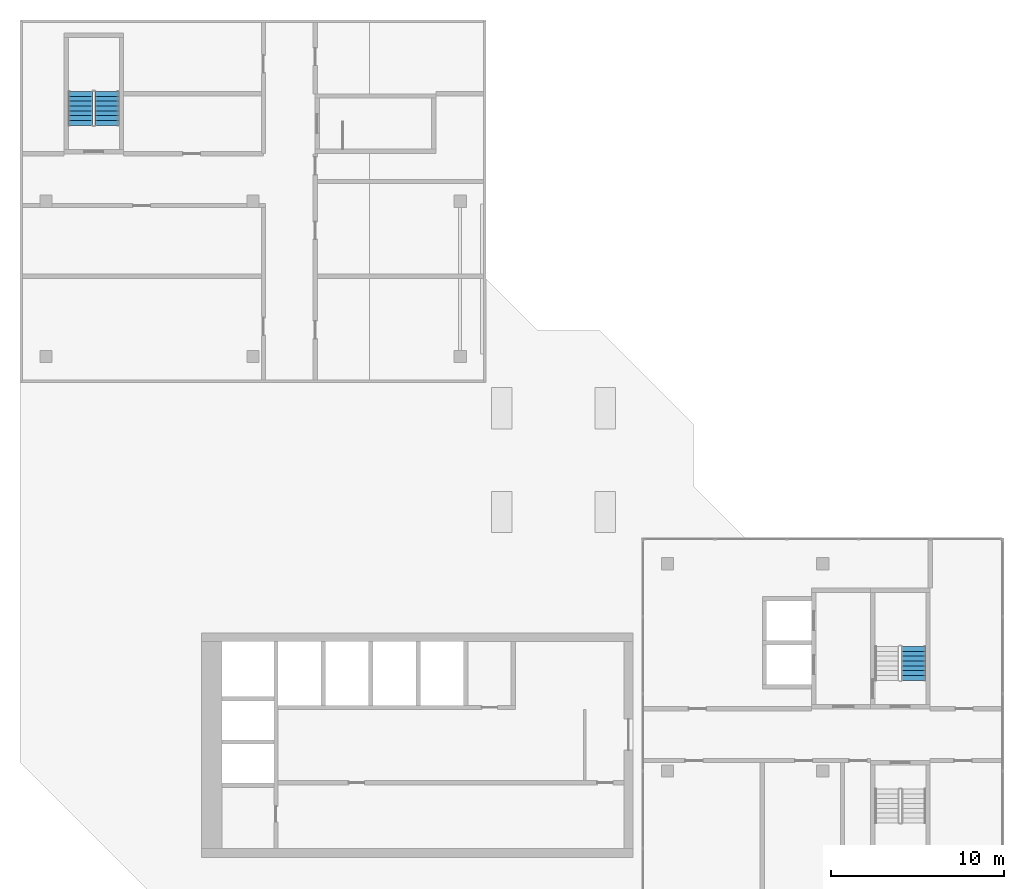
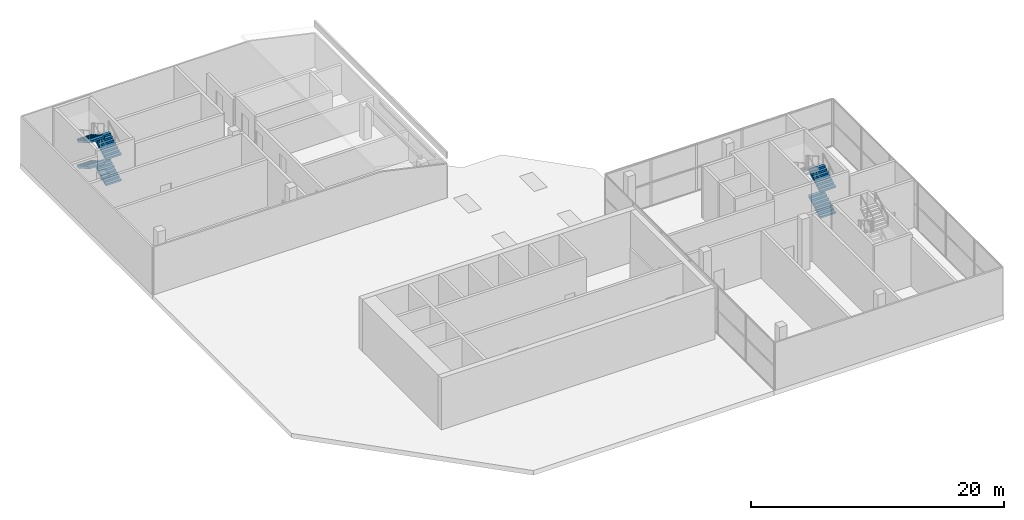
# One storey, part 7 of 8: 6 stair flights, 2 elements without a shape of their own.
"""IFC4 building model written with IfcOpenShell, lengths in metres."""

from ifc_helpers import new_model, si_unit, direction, frame, origin, place, context, subcontext, project, spatial, polyline, outline, extrude, material, type_object, element, aggregate, save


model = new_model("IFC4")

# Units and contexts
model_context = context("Model", 3, precision=1e-05, world=origin(), true_north=direction((0.0, 1.0)))
body_context = subcontext(model_context, "Body", "Model", "MODEL_VIEW")
ifc_project = project(units=[si_unit("LENGTHUNIT", "METRE"), si_unit("AREAUNIT", "SQUARE_METRE"), si_unit("VOLUMEUNIT", "CUBIC_METRE"), si_unit("PLANEANGLEUNIT", "RADIAN"), si_unit("MASSUNIT", "GRAM", prefix="KILO")], contexts=[model_context])

# Site, building, storey
site_placement = place(None, origin())
site = spatial("IfcSite", under=ifc_project, at=site_placement, CompositionType="ELEMENT")
building_placement = place(site_placement, origin())
building = spatial("IfcBuilding", under=site, at=building_placement, Name="Chenar Terraces", CompositionType="ELEMENT")
storey_placement = place(building_placement, frame((0.0, 0.0, 383.89990234375)))
storey = spatial("IfcBuildingStorey", under=building, at=storey_placement, Name="L90", CompositionType="ELEMENT", Elevation=383.89990234375)

# Stair, stair flights
ifc_material_1 = material(Name="Reinforced concrete C40/50", Category="concrete")
stair_type = type_object("IfcStairType", Name="Core stair 1400 half-turn", PredefinedType="HALF_TURN_STAIR", material=ifc_material_1)
placement = place(storey_placement, origin())
stair_1 = element("IfcStair", 1, at=placement, inside=storey, type_object=stair_type, Name="L90 Stair 3", PredefinedType="HALF_TURN_STAIR")
ifc_material_2 = material(Name="Reinforced concrete C40/50", Category="concrete")
stair_flight_type = type_object("IfcStairFlightType", Name="Core stair flight 1400", PredefinedType="STRAIGHT", material=ifc_material_2)
stair_flight_1_placement = place(storey_placement, frame((50.27490234375, 17.25, 0.0), z_axis=(0.0, 0.0, 1.0), x_axis=(0.0, 1.0, 0.0)))
stair_flight_1 = element("IfcStairFlight", 2, at=stair_flight_1_placement, type_object=stair_flight_type, Name="ST3 flight 1", NumberOfRisers=8, NumberOfTreads=7, PredefinedType="STRAIGHT", RiserHeight=0.15625, TreadLength=0.28, context=body_context, shape_type="SweptSolid", body=[
    extrude(outline(polyline([(-0.0029296875, 0.0), (-0.0029296875, 0.15625), (0.0, 0.15625), (0.280029296875, 0.15625), (0.280029296875, 0.3125), (0.56005859375, 0.3125), (0.56005859375, 0.46875), (0.840087890625, 0.46875), (0.840087890625, 0.625), (1.1201171875, 0.625), (1.1201171875, 0.78125), (1.39990234375, 0.78125), (1.39990234375, 0.9375), (1.679931640625, 0.9375), (1.679931640625, 1.09375), (1.9599609375, 1.09375), (1.962890625, 1.09375), (1.962890625, 0.922119140625), (1.9599609375, 0.922119140625), (0.3076171875, 0.0), (-0.0029296875, 0.0)])), frame((0.0, 0.699951171875, 0.0), z_axis=(0.0, -1.0, 0.0), x_axis=(1.0, 0.0, 0.0)), (0.0, 0.0, 1.0), 1.39990234375),
])
stair_flight_2_placement = place(storey_placement, frame((50.27490234375, 17.25, 2.5), z_axis=(0.0, 0.0, 1.0), x_axis=(0.0, 1.0, 0.0)))
stair_flight_2 = element("IfcStairFlight", 3, at=stair_flight_2_placement, type_object=stair_flight_type, Name="ST3 flight 3", NumberOfRisers=8, NumberOfTreads=7, PredefinedType="STRAIGHT", RiserHeight=0.15625, TreadLength=0.28, context=body_context, shape_type="SweptSolid", body=[
    extrude(outline(polyline([(-0.0029296875, 0.0), (-0.0029296875, 0.15625), (0.0, 0.15625), (0.280029296875, 0.15625), (0.280029296875, 0.3125), (0.56005859375, 0.3125), (0.56005859375, 0.46875), (0.840087890625, 0.46875), (0.840087890625, 0.625), (1.1201171875, 0.625), (1.1201171875, 0.78125), (1.39990234375, 0.78125), (1.39990234375, 0.9375), (1.679931640625, 0.9375), (1.679931640625, 1.09375), (1.9599609375, 1.09375), (1.962890625, 1.09375), (1.962890625, 0.922119140625), (1.9599609375, 0.922119140625), (0.3076171875, 0.0), (-0.0029296875, 0.0)])), frame((0.0, 0.699951171875, 0.0), z_axis=(0.0, -1.0, 0.0), x_axis=(1.0, 0.0, 0.0)), (0.0, 0.0, 1.0), 1.39990234375),
])
aggregate(stair_1, [stair_flight_1, stair_flight_2])

stair_2 = element("IfcStair", 4, at=placement, inside=storey, type_object=stair_type, Name="L90 Stair 6", PredefinedType="HALF_TURN_STAIR")
stair_flight_3_placement = place(storey_placement, frame((3.550048828125, 49.39990234375, 0.0), z_axis=(0.0, 0.0, 1.0), x_axis=(0.0, 1.0, 0.0)))
stair_flight_3 = element("IfcStairFlight", 5, at=stair_flight_3_placement, type_object=stair_flight_type, Name="ST6 flight 1", NumberOfRisers=8, NumberOfTreads=7, PredefinedType="STRAIGHT", RiserHeight=0.15625, TreadLength=0.28, context=body_context, shape_type="SweptSolid", body=[
    extrude(outline(polyline([(-0.0029296875, 0.0), (-0.0029296875, 0.15625), (0.0, 0.15625), (0.280029296875, 0.15625), (0.280029296875, 0.3125), (0.56005859375, 0.3125), (0.56005859375, 0.46875), (0.840087890625, 0.46875), (0.840087890625, 0.625), (1.1201171875, 0.625), (1.1201171875, 0.78125), (1.39990234375, 0.78125), (1.39990234375, 0.9375), (1.679931640625, 0.9375), (1.679931640625, 1.09375), (1.9599609375, 1.09375), (1.962890625, 1.09375), (1.962890625, 0.922119140625), (1.9599609375, 0.922119140625), (0.3076171875, 0.0), (-0.0029296875, 0.0)])), frame((0.0, 0.699951171875, 0.0), z_axis=(0.0, -1.0, 0.0), x_axis=(1.0, 0.0, 0.0)), (0.0, 0.0, 1.0), 1.39990234375),
])
stair_flight_4_placement = place(storey_placement, frame((2.0, 51.360107421875, 1.25), z_axis=(0.0, 0.0, 1.0), x_axis=(0.0, -1.0, 0.0)))
stair_flight_4 = element("IfcStairFlight", 6, at=stair_flight_4_placement, type_object=stair_flight_type, Name="ST6 flight 2", NumberOfRisers=8, NumberOfTreads=7, PredefinedType="STRAIGHT", RiserHeight=0.15625, TreadLength=0.28, context=body_context, shape_type="SweptSolid", body=[
    extrude(outline(polyline([(-0.0029296875, 0.0), (-0.0029296875, 0.15625), (0.0, 0.15625), (0.280029296875, 0.15625), (0.280029296875, 0.3125), (0.56005859375, 0.3125), (0.56005859375, 0.46875), (0.840087890625, 0.46875), (0.840087890625, 0.625), (1.1201171875, 0.625), (1.1201171875, 0.78125), (1.39990234375, 0.78125), (1.39990234375, 0.9375), (1.679931640625, 0.9375), (1.679931640625, 1.09375), (1.9599609375, 1.09375), (1.962890625, 1.09375), (1.962890625, 0.922119140625), (1.9599609375, 0.922119140625), (0.3076171875, 0.0), (-0.0029296875, 0.0)])), frame((0.0, 0.699951171875, 0.0), z_axis=(0.0, -1.0, 0.0), x_axis=(1.0, 0.0, 0.0)), (0.0, 0.0, 1.0), 1.39990234375),
])
stair_flight_5_placement = place(storey_placement, frame((3.550048828125, 49.39990234375, 2.5), z_axis=(0.0, 0.0, 1.0), x_axis=(0.0, 1.0, 0.0)))
stair_flight_5 = element("IfcStairFlight", 7, at=stair_flight_5_placement, type_object=stair_flight_type, Name="ST6 flight 3", NumberOfRisers=8, NumberOfTreads=7, PredefinedType="STRAIGHT", RiserHeight=0.15625, TreadLength=0.28, context=body_context, shape_type="SweptSolid", body=[
    extrude(outline(polyline([(-0.0029296875, 0.0), (-0.0029296875, 0.15625), (0.0, 0.15625), (0.280029296875, 0.15625), (0.280029296875, 0.3125), (0.56005859375, 0.3125), (0.56005859375, 0.46875), (0.840087890625, 0.46875), (0.840087890625, 0.625), (1.1201171875, 0.625), (1.1201171875, 0.78125), (1.39990234375, 0.78125), (1.39990234375, 0.9375), (1.679931640625, 0.9375), (1.679931640625, 1.09375), (1.9599609375, 1.09375), (1.962890625, 1.09375), (1.962890625, 0.922119140625), (1.9599609375, 0.922119140625), (0.3076171875, 0.0), (-0.0029296875, 0.0)])), frame((0.0, 0.699951171875, 0.0), z_axis=(0.0, -1.0, 0.0), x_axis=(1.0, 0.0, 0.0)), (0.0, 0.0, 1.0), 1.39990234375),
])
stair_flight_6_placement = place(storey_placement, frame((2.0, 51.360107421875, 3.75), z_axis=(0.0, 0.0, 1.0), x_axis=(0.0, -1.0, 0.0)))
stair_flight_6 = element("IfcStairFlight", 8, at=stair_flight_6_placement, type_object=stair_flight_type, Name="ST6 flight 4", NumberOfRisers=8, NumberOfTreads=7, PredefinedType="STRAIGHT", RiserHeight=0.15625, TreadLength=0.28, context=body_context, shape_type="SweptSolid", body=[
    extrude(outline(polyline([(-0.0029296875, 0.0), (-0.0029296875, 0.15625), (0.0, 0.15625), (0.280029296875, 0.15625), (0.280029296875, 0.3125), (0.56005859375, 0.3125), (0.56005859375, 0.46875), (0.840087890625, 0.46875), (0.840087890625, 0.625), (1.1201171875, 0.625), (1.1201171875, 0.78125), (1.39990234375, 0.78125), (1.39990234375, 0.9375), (1.679931640625, 0.9375), (1.679931640625, 1.09375), (1.9599609375, 1.09375), (1.962890625, 1.09375), (1.962890625, 0.922119140625), (1.9599609375, 0.922119140625), (0.3076171875, 0.0), (-0.0029296875, 0.0)])), frame((0.0, 0.699951171875, 0.0), z_axis=(0.0, -1.0, 0.0), x_axis=(1.0, 0.0, 0.0)), (0.0, 0.0, 1.0), 1.39990234375),
])
aggregate(stair_2, [stair_flight_3, stair_flight_4, stair_flight_5, stair_flight_6])

save(model, "model.ifc")
